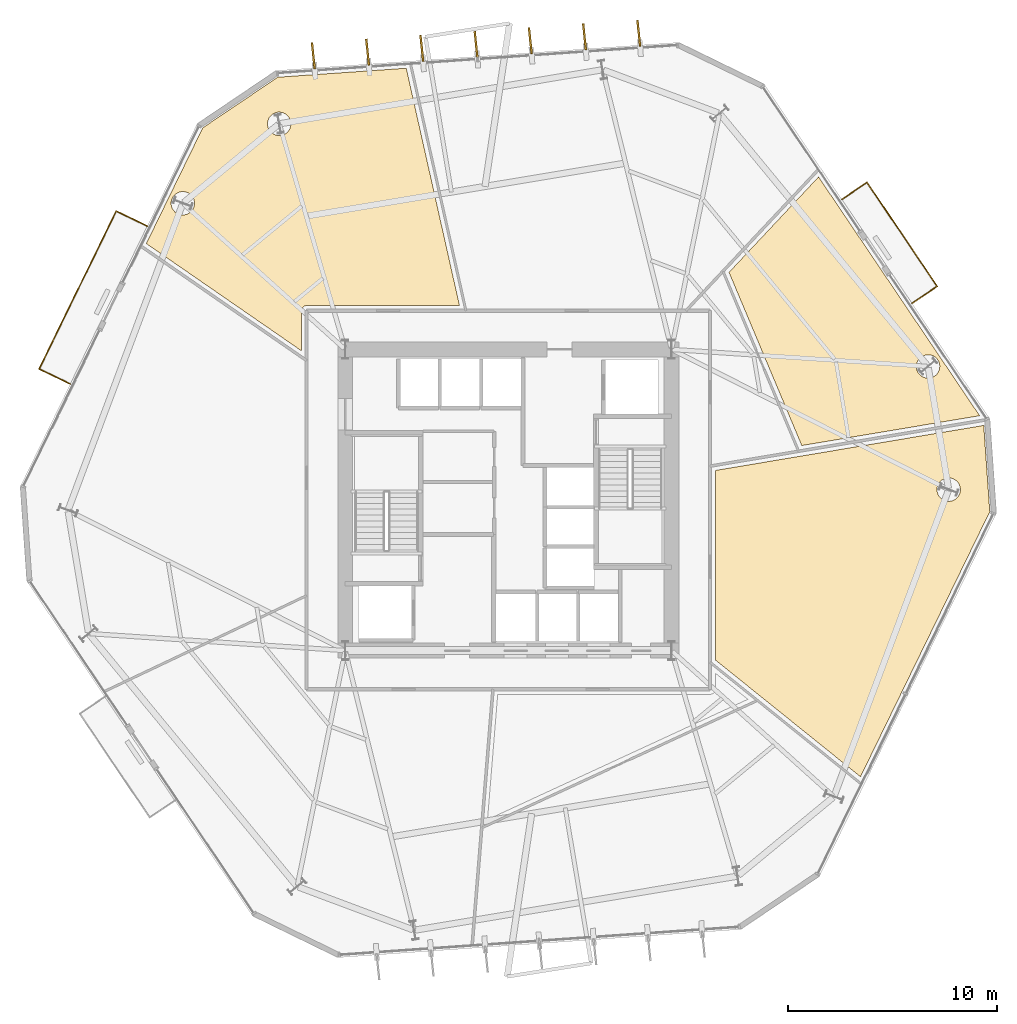
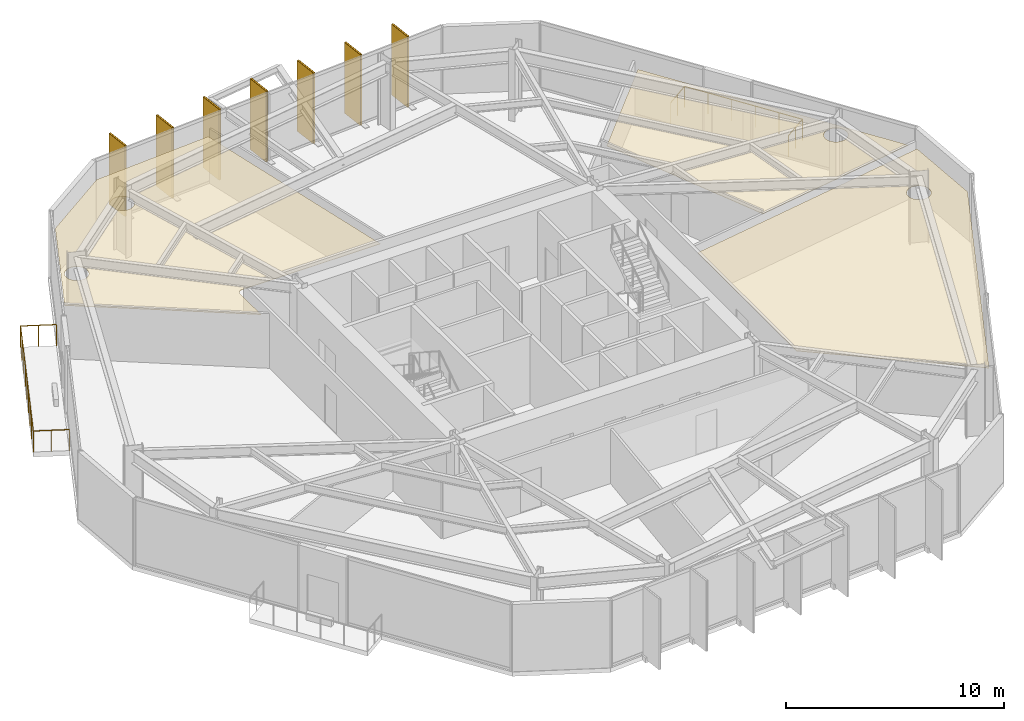
# One storey, part 10 of 10: 10 coverings, 7 shading devices, 2 railings.
"""IFC4 building model written with IfcOpenShell, lengths in metres."""

from ifc_helpers import new_model, si_unit, direction, frame, origin, origin_2d, place, context, subcontext, project, spatial, polyline, rectangle, circle, outline, extrude, material, layer, layer_set, type_object, element, save


model = new_model("IFC4")

# Units and contexts
model_context = context("Model", 3, precision=1e-05, world=origin(), true_north=direction((0.0, 1.0)))
body_context = subcontext(model_context, "Body", "Model", "MODEL_VIEW")
ifc_project = project(units=[si_unit("LENGTHUNIT", "METRE"), si_unit("AREAUNIT", "SQUARE_METRE"), si_unit("VOLUMEUNIT", "CUBIC_METRE"), si_unit("PLANEANGLEUNIT", "RADIAN"), si_unit("MASSUNIT", "GRAM", prefix="KILO")], contexts=[model_context])

# Site, building, storey
site_placement = place(None, origin())
site = spatial("IfcSite", under=ifc_project, at=site_placement, CompositionType="ELEMENT")
building_placement = place(site_placement, origin())
building = spatial("IfcBuilding", under=site, at=building_placement, Name="Kranzbogen Civic Tower", CompositionType="ELEMENT")
storey_placement = place(building_placement, frame((0.0, 0.0, 36.0)))
storey = spatial("IfcBuildingStorey", under=building, at=storey_placement, Name="L08", CompositionType="ELEMENT", Elevation=36.0)

# Coverings
ifc_material_1 = material(Name="Pale Anodised Aluminium", Category="aluminium")
ifc_layer_1 = layer(ifc_material_1, 0.02490234375, Name="Pale Anodised Aluminium")
ifc_layer_set_1 = layer_set([ifc_layer_1], Name="Pale Anodised Aluminium")
covering_type_1 = type_object("IfcCoveringType", Name="Anodised Aluminium Vertical Fin Cladding 25 mm", PredefinedType="CLADDING", material=ifc_layer_set_1)
for number, where, z_axis, x_axis, name in (
    (1, (31.236083984375, 47.326904296875, -0.139892578125), (0.0, 0.0, 1.0), (-0.104059794277, 0.994571042819, 0.0), "L08 vertical fin pale-metal cladding F2-1"),
    (2, (28.64306640625, 47.14501953125, -0.139892578125), (0.0, 0.0, 1.0), (-0.104059794277, 0.994571042819, 0.0), "L08 vertical fin pale-metal cladding F2-2"),
    (3, (26.049072265625, 46.964111328125, -0.139892578125), (0.0, 0.0, 1.0), (-0.104059794277, 0.994571042819, 0.0), "L08 vertical fin pale-metal cladding F2-3"),
    (4, (23.455078125, 46.782958984375, -0.139892578125), (0.0, 0.0, 1.0), (-0.104059794277, 0.994571042819, 0.0), "L08 vertical fin pale-metal cladding F2-4"),
    (5, (20.862060546875, 46.60107421875, -0.139892578125), (0.0, 0.0, 1.0), (-0.104059794277, 0.994571042819, 0.0), "L08 vertical fin pale-metal cladding F2-5"),
    (6, (18.26806640625, 46.419921875, -0.139892578125), (0.0, 0.0, 1.0), (-0.104059794277, 0.994571042819, 0.0), "L08 vertical fin pale-metal cladding F2-6"),
    (7, (15.674072265625, 46.239013671875, -0.139892578125), (0.0, 0.0, 1.0), (-0.104059794277, 0.994571042819, 0.0), "L08 vertical fin pale-metal cladding F2-7"),
):
    element("IfcCovering", number, at=place(storey_placement, frame(where, z_axis=z_axis, x_axis=x_axis)), inside=storey, type_object=covering_type_1, Name=name, PredefinedType="CLADDING", context=body_context, shape_type="SweptSolid", body=[
        extrude(rectangle(XDim=1.25, YDim=0.10009765625, at=origin_2d()), origin(), (0.0, 0.0, 1.0), 3.9599609375),
    ])

# Shading devices
ifc_material_2 = material(Name="Anodised Bronze Aluminium", Category="aluminium")
shading_device_type = type_object("IfcShadingDeviceType", Name="Anodised Bronze Vertical Facade Fin 1250x80", PredefinedType="USERDEFINED", material=ifc_material_2)
for number, where, z_axis, x_axis, name in (
    (8, (31.236083984375, 47.326904296875, -0.139892578125), (0.0, 0.0, 1.0), (-0.104059794277, 0.994571042819, 0.0), "L08 vertical exterior shading fin F2-1"),
    (9, (28.64306640625, 47.14501953125, -0.139892578125), (0.0, 0.0, 1.0), (-0.104059794277, 0.994571042819, 0.0), "L08 vertical exterior shading fin F2-2"),
    (10, (26.049072265625, 46.964111328125, -0.139892578125), (0.0, 0.0, 1.0), (-0.104059794277, 0.994571042819, 0.0), "L08 vertical exterior shading fin F2-3"),
    (11, (23.455078125, 46.782958984375, -0.139892578125), (0.0, 0.0, 1.0), (-0.104059794277, 0.994571042819, 0.0), "L08 vertical exterior shading fin F2-4"),
    (12, (20.862060546875, 46.60107421875, -0.139892578125), (0.0, 0.0, 1.0), (-0.104059794277, 0.994571042819, 0.0), "L08 vertical exterior shading fin F2-5"),
    (13, (18.26806640625, 46.419921875, -0.139892578125), (0.0, 0.0, 1.0), (-0.104059794277, 0.994571042819, 0.0), "L08 vertical exterior shading fin F2-6"),
    (14, (15.674072265625, 46.239013671875, -0.139892578125), (0.0, 0.0, 1.0), (-0.104059794277, 0.994571042819, 0.0), "L08 vertical exterior shading fin F2-7"),
):
    element("IfcShadingDevice", number, at=place(storey_placement, frame(where, z_axis=z_axis, x_axis=x_axis)), inside=storey, type_object=shading_device_type, Name=name, ObjectType="FIN", PredefinedType="USERDEFINED", context=body_context, shape_type="SweptSolid", body=[
        extrude(rectangle(XDim=1.25, YDim=0.080078125, at=origin_2d()), origin(), (0.0, 0.0, 1.0), 3.9599609375),
    ])

# Railings
railing_type = type_object("IfcRailingType", Name="Cantilevered Balcony Glass and Bronze Balustrade 1200", PredefinedType="BALUSTRADE", material=ifc_material_2)
railing_1_placement = place(storey_placement, frame((44.304931640625, 34.403076171875, 0.0)))
element("IfcRailing", 15, at=railing_1_placement, inside=storey, type_object=railing_type, Name="L08 exterior terrace balustrade L08-TB1", PredefinedType="BALUSTRADE", context=body_context, shape_type="SweptSolid", body=[
    extrude(circle(Radius=0.02392578125, at=origin_2d()), frame((0.0, 0.0, 1.17578125), z_axis=(0.828981368781, 0.559276219961, 0.0), x_axis=(-0.559276219961, 0.828981368781, 0.0)), (0.0, 0.0, 1.0), 1.4501953125),
    extrude(circle(Radius=0.02392578125, at=origin_2d()), frame((1.2021484375, 0.81103515625, 1.17578125), z_axis=(-0.559199559515, 0.829033082958, 0.0), x_axis=(-0.829033082958, -0.559199559515, 0.0)), (0.0, 0.0, 1.0), 5.99951171875),
    extrude(circle(Radius=0.02392578125, at=origin_2d()), frame((-2.15283203125, 5.784912109375, 1.17578125), z_axis=(-0.828981368781, -0.559276219961, 0.0), x_axis=(0.559276219961, -0.828981368781, 0.0)), (0.0, 0.0, 1.0), 1.4501953125),
    extrude(circle(Radius=0.02099609375, at=origin_2d()), origin(), (0.0, 0.0, 1.0), 1.15185546875),
    extrude(circle(Radius=0.02099609375, at=origin_2d()), frame((0.60107421875, 0.405517578125, 0.0)), (0.0, 0.0, 1.0), 1.15185546875),
    extrude(circle(Radius=0.02099609375, at=origin_2d()), frame((1.2021484375, 0.81103515625, 0.0)), (0.0, 0.0, 1.0), 1.15185546875),
    extrude(circle(Radius=0.02099609375, at=origin_2d()), frame((0.53125, 1.805908203125, 0.0)), (0.0, 0.0, 1.0), 1.15185546875),
    extrude(circle(Radius=0.02099609375, at=origin_2d()), frame((-0.139892578125, 2.800537109375, 0.0)), (0.0, 0.0, 1.0), 1.15185546875),
    extrude(circle(Radius=0.02099609375, at=origin_2d()), frame((-0.810791015625, 3.79541015625, 0.0)), (0.0, 0.0, 1.0), 1.15185546875),
    extrude(circle(Radius=0.02099609375, at=origin_2d()), frame((-1.48193359375, 4.7900390625, 0.0)), (0.0, 0.0, 1.0), 1.15185546875),
    extrude(circle(Radius=0.02099609375, at=origin_2d()), frame((-2.15283203125, 5.784912109375, 0.0)), (0.0, 0.0, 1.0), 1.15185546875),
    extrude(circle(Radius=0.02099609375, at=origin_2d()), frame((-2.75390625, 5.37939453125, 0.0)), (0.0, 0.0, 1.0), 1.15185546875),
    extrude(circle(Radius=0.02099609375, at=origin_2d()), frame((-3.35498046875, 4.973876953125, 0.0)), (0.0, 0.0, 1.0), 1.15185546875),
])
railing_2_placement = place(storey_placement, frame((7.73095703125, 38.095947265625, 0.0)))
element("IfcRailing", 16, at=railing_2_placement, inside=storey, type_object=railing_type, Name="L08 exterior terrace balustrade L08-ST", PredefinedType="BALUSTRADE", context=body_context, shape_type="SweptSolid", body=[
    extrude(circle(Radius=0.02392578125, at=origin_2d()), frame((0.0, 0.0, 1.17578125), z_axis=(-0.898822481965, 0.438312840234, 0.0), x_axis=(-0.438312840234, -0.898822481965, 0.0)), (0.0, 0.0, 1.0), 1.64990234375),
    extrude(circle(Radius=0.02392578125, at=origin_2d()), frame((-1.48291015625, 0.72314453125, 1.17578125), z_axis=(-0.438438519391, -0.89876118336, 0.0), x_axis=(0.89876118336, -0.438438519391, 0.0)), (0.0, 0.0, 1.0), 8.400390625),
    extrude(circle(Radius=0.02392578125, at=origin_2d()), frame((-5.166015625, -6.826904296875, 1.17578125), z_axis=(0.898850905683, -0.438254548582, 0.0), x_axis=(0.438254548582, 0.898850905683, 0.0)), (0.0, 0.0, 1.0), 1.650146484375),
    extrude(circle(Radius=0.02099609375, at=origin_2d()), origin(), (0.0, 0.0, 1.0), 1.15185546875),
    extrude(circle(Radius=0.02099609375, at=origin_2d()), frame((-0.741455078125, 0.361572265625, 0.0)), (0.0, 0.0, 1.0), 1.15185546875),
    extrude(circle(Radius=0.02099609375, at=origin_2d()), frame((-1.48291015625, 0.72314453125, 0.0)), (0.0, 0.0, 1.0), 1.15185546875),
    extrude(circle(Radius=0.02099609375, at=origin_2d()), frame((-1.943359375, -0.220703125, 0.0)), (0.0, 0.0, 1.0), 1.15185546875),
    extrude(circle(Radius=0.02099609375, at=origin_2d()), frame((-2.40380859375, -1.164306640625, 0.0)), (0.0, 0.0, 1.0), 1.15185546875),
    extrude(circle(Radius=0.02099609375, at=origin_2d()), frame((-2.864013671875, -2.108154296875, 0.0)), (0.0, 0.0, 1.0), 1.15185546875),
    extrude(circle(Radius=0.02099609375, at=origin_2d()), frame((-3.324462890625, -3.0517578125, 0.0)), (0.0, 0.0, 1.0), 1.15185546875),
    extrude(circle(Radius=0.02099609375, at=origin_2d()), frame((-3.784912109375, -3.99560546875, 0.0)), (0.0, 0.0, 1.0), 1.15185546875),
    extrude(circle(Radius=0.02099609375, at=origin_2d()), frame((-4.2451171875, -4.939453125, 0.0)), (0.0, 0.0, 1.0), 1.15185546875),
    extrude(circle(Radius=0.02099609375, at=origin_2d()), frame((-4.70556640625, -5.883056640625, 0.0)), (0.0, 0.0, 1.0), 1.15185546875),
    extrude(circle(Radius=0.02099609375, at=origin_2d()), frame((-5.166015625, -6.826904296875, 0.0)), (0.0, 0.0, 1.0), 1.15185546875),
    extrude(circle(Radius=0.02099609375, at=origin_2d()), frame((-4.42431640625, -7.1884765625, 0.0)), (0.0, 0.0, 1.0), 1.15185546875),
    extrude(circle(Radius=0.02099609375, at=origin_2d()), frame((-3.682861328125, -7.550048828125, 0.0)), (0.0, 0.0, 1.0), 1.15185546875),
])

# Coverings
ifc_material_3 = material(Name="Perforated Acoustic Gypsum Ceiling")
ifc_layer_2 = layer(ifc_material_3, 0.02490234375, Name="Perforated Acoustic Gypsum Ceiling")
ifc_layer_set_2 = layer_set([ifc_layer_2], Name="Perforated Acoustic Gypsum Ceiling")
covering_type_2 = type_object("IfcCoveringType", Name="Perforated Acoustic Mineral Ceiling Tile 25 mm", PredefinedType="CEILING", material=ifc_layer_set_2)
covering_1_placement = place(storey_placement, frame((0.0, 0.0, 2.75)))
element("IfcCovering", 17, at=covering_1_placement, inside=storey, type_object=covering_type_2, Name="L08 Civic Reference Library acoustic ceiling", PredefinedType="CEILING", context=body_context, shape_type="SweptSolid", body=[
    extrude(outline(polyline([(34.89501953125, 17.35302734375), (34.89501953125, 26.412109375), (47.73388671875, 28.56689453125), (48.02294921875, 24.44189453125), (41.840087890625, 11.764892578125), (34.89501953125, 17.35302734375)]), holes=[polyline([(46.573974609375, 25.281982421875), (46.550048828125, 25.23193359375), (46.52197265625, 25.18505859375), (46.489013671875, 25.14111328125), (46.452880859375, 25.10009765625), (46.412109375, 25.06396484375), (46.367919921875, 25.031005859375), (46.321044921875, 25.0029296875), (46.27099609375, 24.97900390625), (46.218994140625, 24.9609375), (46.166015625, 24.947021484375), (46.112060546875, 24.93896484375), (46.056884765625, 24.93701171875), (46.001953125, 24.93896484375), (45.947998046875, 24.947021484375), (45.89501953125, 24.9609375), (45.843017578125, 24.97900390625), (45.79296875, 25.0029296875), (45.74609375, 25.031005859375), (45.701904296875, 25.06396484375), (45.660888671875, 25.10009765625), (45.625, 25.14111328125), (45.592041015625, 25.18505859375), (45.56396484375, 25.23193359375), (45.5400390625, 25.281982421875), (45.52197265625, 25.333984375), (45.508056640625, 25.386962890625), (45.5, 25.44091796875), (45.498046875, 25.49609375), (45.5, 25.551025390625), (45.508056640625, 25.60498046875), (45.52197265625, 25.657958984375), (45.5400390625, 25.7099609375), (45.56396484375, 25.760009765625), (45.592041015625, 25.806884765625), (45.625, 25.85107421875), (45.660888671875, 25.89208984375), (45.701904296875, 25.927978515625), (45.74609375, 25.9609375), (45.79296875, 25.989013671875), (45.843017578125, 26.012939453125), (45.89501953125, 26.031005859375), (45.947998046875, 26.044921875), (46.001953125, 26.052978515625), (46.056884765625, 26.054931640625), (46.112060546875, 26.052978515625), (46.166015625, 26.044921875), (46.218994140625, 26.031005859375), (46.27099609375, 26.012939453125), (46.321044921875, 25.989013671875), (46.367919921875, 25.9609375), (46.412109375, 25.927978515625), (46.452880859375, 25.89208984375), (46.489013671875, 25.85107421875), (46.52197265625, 25.806884765625), (46.550048828125, 25.760009765625), (46.573974609375, 25.7099609375), (46.592041015625, 25.657958984375), (46.60595703125, 25.60498046875), (46.614013671875, 25.551025390625), (46.615966796875, 25.49609375), (46.614013671875, 25.44091796875), (46.60595703125, 25.386962890625), (46.592041015625, 25.333984375), (46.573974609375, 25.281982421875)])]), origin(), (0.0, 0.0, 1.0), 0.02490234375),
])
covering_2_placement = place(storey_placement, frame((0.0, 0.0, 2.75)))
element("IfcCovering", 18, at=covering_2_placement, inside=storey, type_object=covering_type_2, Name="L08 Cultural Screening Clubroom acoustic ceiling", PredefinedType="CEILING", context=body_context, shape_type="SweptSolid", body=[
    extrude(outline(polyline([(35.552001953125, 35.886962890625), (39.833984375, 40.449951171875), (47.535888671875, 29.031005859375), (39.031982421875, 27.60400390625), (35.552001953125, 35.886962890625)]), holes=[polyline([(45.589111328125, 31.172119140625), (45.56494140625, 31.1220703125), (45.537109375, 31.074951171875), (45.50390625, 31.031005859375), (45.468017578125, 30.989990234375), (45.427001953125, 30.9541015625), (45.383056640625, 30.9208984375), (45.3359375, 30.89306640625), (45.285888671875, 30.868896484375), (45.23388671875, 30.85107421875), (45.180908203125, 30.8369140625), (45.126953125, 30.8291015625), (45.072021484375, 30.826904296875), (45.01708984375, 30.8291015625), (44.962890625, 30.8369140625), (44.909912109375, 30.85107421875), (44.85791015625, 30.868896484375), (44.80810546875, 30.89306640625), (44.760986328125, 30.9208984375), (44.717041015625, 30.9541015625), (44.676025390625, 30.989990234375), (44.639892578125, 31.031005859375), (44.60693359375, 31.074951171875), (44.5791015625, 31.1220703125), (44.554931640625, 31.172119140625), (44.537109375, 31.22412109375), (44.52294921875, 31.277099609375), (44.514892578125, 31.3310546875), (44.512939453125, 31.385986328125), (44.514892578125, 31.44091796875), (44.52294921875, 31.4951171875), (44.537109375, 31.548095703125), (44.554931640625, 31.60009765625), (44.5791015625, 31.64990234375), (44.60693359375, 31.697021484375), (44.639892578125, 31.740966796875), (44.676025390625, 31.781982421875), (44.717041015625, 31.818115234375), (44.760986328125, 31.85107421875), (44.80810546875, 31.87890625), (44.85791015625, 31.903076171875), (44.909912109375, 31.9208984375), (44.962890625, 31.93505859375), (45.01708984375, 31.943115234375), (45.072021484375, 31.945068359375), (45.126953125, 31.943115234375), (45.180908203125, 31.93505859375), (45.23388671875, 31.9208984375), (45.285888671875, 31.903076171875), (45.3359375, 31.87890625), (45.383056640625, 31.85107421875), (45.427001953125, 31.818115234375), (45.468017578125, 31.781982421875), (45.50390625, 31.740966796875), (45.537109375, 31.697021484375), (45.56494140625, 31.64990234375), (45.589111328125, 31.60009765625), (45.60693359375, 31.548095703125), (45.62109375, 31.4951171875), (45.62890625, 31.44091796875), (45.631103515625, 31.385986328125), (45.62890625, 31.3310546875), (45.62109375, 31.277099609375), (45.60693359375, 31.22412109375), (45.589111328125, 31.172119140625)])]), origin(), (0.0, 0.0, 1.0), 0.02490234375),
])
covering_3_placement = place(storey_placement, frame((0.0, 0.0, 2.75)))
element("IfcCovering", 19, at=covering_3_placement, inside=storey, type_object=covering_type_2, Name="L08 Public Delegation Reception acoustic ceiling", PredefinedType="CEILING", context=body_context, shape_type="SweptSolid", body=[
    extrude(outline(polyline([(13.972900390625, 45.218017578125), (20.116943359375, 45.64794921875), (22.6640625, 34.294921875), (15.35009765625, 34.294921875), (15.341064453125, 34.294921875), (15.3349609375, 34.2939453125), (15.31689453125, 34.29296875), (15.31103515625, 34.2919921875), (15.2939453125, 34.2880859375), (15.287109375, 34.287109375), (15.27001953125, 34.281982421875), (15.263916015625, 34.280029296875), (15.248046875, 34.27294921875), (15.241943359375, 34.27001953125), (15.22705078125, 34.261962890625), (15.220947265625, 34.258056640625), (15.20703125, 34.2490234375), (15.201904296875, 34.2451171875), (15.18798828125, 34.23388671875), (15.18310546875, 34.22900390625), (15.1708984375, 34.217041015625), (15.166015625, 34.2119140625), (15.155029296875, 34.197998046875), (15.15087890625, 34.193115234375), (15.14208984375, 34.178955078125), (15.137939453125, 34.173095703125), (15.1298828125, 34.157958984375), (15.126953125, 34.152099609375), (15.1201171875, 34.135986328125), (15.117919921875, 34.1298828125), (15.113037109375, 34.113037109375), (15.112060546875, 34.10595703125), (15.10791015625, 34.089111328125), (15.10693359375, 34.0830078125), (15.10595703125, 34.06494140625), (15.10498046875, 34.05908203125), (15.10498046875, 34.050048828125), (15.10498046875, 32.135009765625), (7.68603515625, 37.261962890625), (10.385986328125, 42.798095703125), (13.972900390625, 45.218017578125)]), holes=[polyline([(9.949951171875, 38.97509765625), (9.926025390625, 38.925048828125), (9.89794921875, 38.8779296875), (9.864990234375, 38.833984375), (9.8291015625, 38.79296875), (9.7880859375, 38.757080078125), (9.743896484375, 38.72412109375), (9.697021484375, 38.696044921875), (9.64697265625, 38.672119140625), (9.594970703125, 38.654052734375), (9.5419921875, 38.639892578125), (9.488037109375, 38.632080078125), (9.43310546875, 38.6298828125), (9.3779296875, 38.632080078125), (9.323974609375, 38.639892578125), (9.27099609375, 38.654052734375), (9.218994140625, 38.672119140625), (9.1689453125, 38.696044921875), (9.1220703125, 38.72412109375), (9.077880859375, 38.757080078125), (9.037109375, 38.79296875), (9.0009765625, 38.833984375), (8.968017578125, 38.8779296875), (8.93994140625, 38.925048828125), (8.916015625, 38.97509765625), (8.89794921875, 39.027099609375), (8.884033203125, 39.080078125), (8.8759765625, 39.134033203125), (8.8740234375, 39.18896484375), (8.8759765625, 39.243896484375), (8.884033203125, 39.298095703125), (8.89794921875, 39.35107421875), (8.916015625, 39.403076171875), (8.93994140625, 39.452880859375), (8.968017578125, 39.5), (9.0009765625, 39.5439453125), (9.037109375, 39.5849609375), (9.077880859375, 39.62109375), (9.1220703125, 39.654052734375), (9.1689453125, 39.681884765625), (9.218994140625, 39.7060546875), (9.27099609375, 39.72412109375), (9.323974609375, 39.738037109375), (9.3779296875, 39.74609375), (9.43310546875, 39.748046875), (9.488037109375, 39.74609375), (9.5419921875, 39.738037109375), (9.594970703125, 39.72412109375), (9.64697265625, 39.7060546875), (9.697021484375, 39.681884765625), (9.743896484375, 39.654052734375), (9.7880859375, 39.62109375), (9.8291015625, 39.5849609375), (9.864990234375, 39.5439453125), (9.89794921875, 39.5), (9.926025390625, 39.452880859375), (9.949951171875, 39.403076171875), (9.968017578125, 39.35107421875), (9.98193359375, 39.298095703125), (9.989990234375, 39.243896484375), (9.991943359375, 39.18896484375), (9.989990234375, 39.134033203125), (9.98193359375, 39.080078125), (9.968017578125, 39.027099609375), (9.949951171875, 38.97509765625)]), polyline([(14.55908203125, 42.77392578125), (14.534912109375, 42.72412109375), (14.507080078125, 42.677001953125), (14.47412109375, 42.633056640625), (14.43798828125, 42.592041015625), (14.39697265625, 42.555908203125), (14.35302734375, 42.52294921875), (14.305908203125, 42.4951171875), (14.256103515625, 42.470947265625), (14.2041015625, 42.452880859375), (14.15087890625, 42.43896484375), (14.096923828125, 42.430908203125), (14.0419921875, 42.428955078125), (13.987060546875, 42.430908203125), (13.93310546875, 42.43896484375), (13.8798828125, 42.452880859375), (13.827880859375, 42.470947265625), (13.778076171875, 42.4951171875), (13.73095703125, 42.52294921875), (13.68701171875, 42.555908203125), (13.64599609375, 42.592041015625), (13.610107421875, 42.633056640625), (13.576904296875, 42.677001953125), (13.549072265625, 42.72412109375), (13.52490234375, 42.77392578125), (13.507080078125, 42.825927734375), (13.492919921875, 42.87890625), (13.485107421875, 42.93310546875), (13.48291015625, 42.988037109375), (13.485107421875, 43.04296875), (13.492919921875, 43.096923828125), (13.507080078125, 43.14990234375), (13.52490234375, 43.201904296875), (13.549072265625, 43.251953125), (13.576904296875, 43.299072265625), (13.610107421875, 43.343017578125), (13.64599609375, 43.384033203125), (13.68701171875, 43.419921875), (13.73095703125, 43.452880859375), (13.778076171875, 43.48095703125), (13.827880859375, 43.5048828125), (13.8798828125, 43.52294921875), (13.93310546875, 43.537109375), (13.987060546875, 43.544921875), (14.0419921875, 43.547119140625), (14.096923828125, 43.544921875), (14.15087890625, 43.537109375), (14.2041015625, 43.52294921875), (14.256103515625, 43.5048828125), (14.305908203125, 43.48095703125), (14.35302734375, 43.452880859375), (14.39697265625, 43.419921875), (14.43798828125, 43.384033203125), (14.47412109375, 43.343017578125), (14.507080078125, 43.299072265625), (14.534912109375, 43.251953125), (14.55908203125, 43.201904296875), (14.576904296875, 43.14990234375), (14.591064453125, 43.096923828125), (14.59912109375, 43.04296875), (14.60107421875, 42.988037109375), (14.59912109375, 42.93310546875), (14.591064453125, 42.87890625), (14.576904296875, 42.825927734375), (14.55908203125, 42.77392578125)])]), origin(), (0.0, 0.0, 1.0), 0.02490234375),
])

save(model, "model.ifc")
